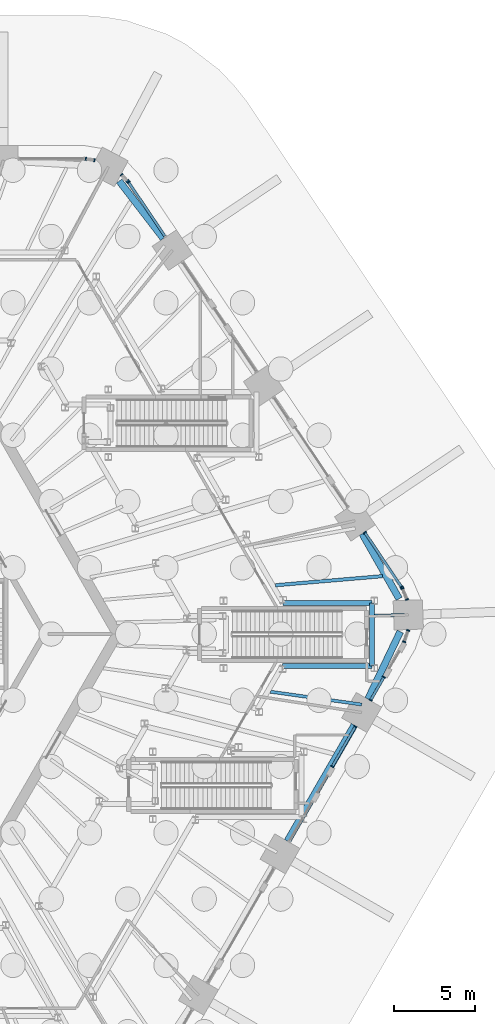
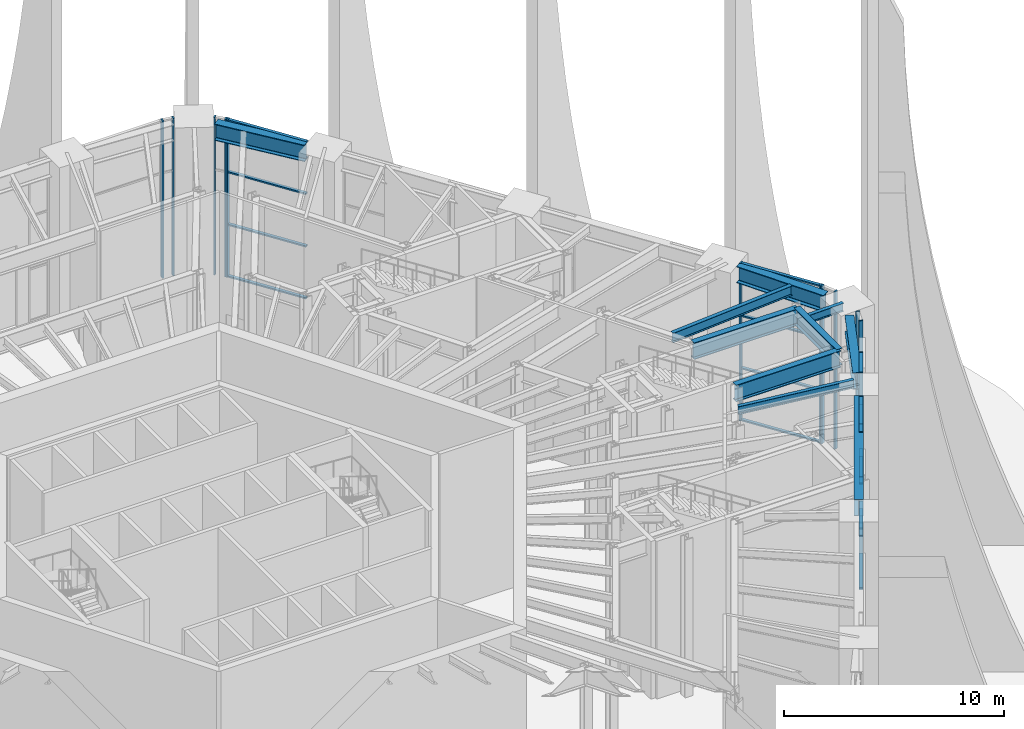
# One storey, part 14 of 43: 31 members, 10 beams, 8 elements without a shape of their own.
"""IFC4 building model written with IfcOpenShell, lengths in metres."""

from ifc_helpers import new_model, si_unit, direction, frame, origin, origin_2d, place, context, subcontext, project, spatial, rectangle, i_section, extrude, material, material_profile, profile_set, type_object, element, aggregate, save


model = new_model("IFC4")

# Units and contexts
model_context = context("Model", 3, precision=1e-05, world=origin(), true_north=direction((0.0, 1.0)))
body_context = subcontext(model_context, "Body", "Model", "MODEL_VIEW")
ifc_project = project(units=[si_unit("LENGTHUNIT", "METRE"), si_unit("AREAUNIT", "SQUARE_METRE"), si_unit("VOLUMEUNIT", "CUBIC_METRE"), si_unit("PLANEANGLEUNIT", "RADIAN"), si_unit("MASSUNIT", "GRAM", prefix="KILO")], contexts=[model_context])

# Site, building, storey
site_placement = place(None, origin())
site = spatial("IfcSite", under=ifc_project, at=site_placement, CompositionType="ELEMENT")
building_placement = place(site_placement, origin())
building = spatial("IfcBuilding", under=site, at=building_placement, Name="Tarnside Tower", CompositionType="ELEMENT")
storey_placement = place(building_placement, origin())
storey = spatial("IfcBuildingStorey", under=building, at=storey_placement, Name="L00", CompositionType="ELEMENT", Elevation=0.0)

# Beams
ifc_material_1 = material(Name="Steel S355", Category="steel")
ifc_material_profile_1 = material_profile(ifc_material_1, i_section(OverallWidth=0.18994140625, OverallDepth=0.453369140625, WebThickness=0.008544921875, FlangeThickness=0.0126953125, FilletRadius=0.01025390625, at=origin_2d()), Name="UB 457x191x67")
ifc_profile_set_1 = profile_set([ifc_material_profile_1], Name="Steel S355")
beam_type_1 = type_object("IfcBeamType", Name="Floor beam UB 457x191x67", PredefinedType="BEAM", material=ifc_profile_set_1)
beam_1_placement = place(storey_placement, frame((30.820068359375, -4.330078125, 8.523193359375), z_axis=(-0.990266984292, 0.139180817, 0.0), x_axis=(-0.139180817, -0.990266984292, 0.0)))
element("IfcBeam", 1, at=beam_1_placement, inside=storey, type_object=beam_type_1, Name="Floor beam F5.08a", PredefinedType="BEAM", context=body_context, shape_type="SweptSolid", body=[
    extrude(i_section(OverallWidth=0.18994140625, OverallDepth=0.453369140625, WebThickness=0.008544921875, FlangeThickness=0.0126953125, FilletRadius=0.01025390625, at=origin_2d()), origin(), (0.0, 0.0, 1.0), 5.66064453125),
])
beam_2_placement = place(storey_placement, frame((33.443603515625, 1.1748046875, 8.523193359375), z_axis=(-0.999639419601, -0.026852016324, 0.0), x_axis=(0.026852016324, -0.999639419601, 0.0)))
element("IfcBeam", 2, at=beam_2_placement, inside=storey, type_object=beam_type_1, Name="Floor beam C5a", PredefinedType="BEAM", context=body_context, shape_type="SweptSolid", body=[
    extrude(i_section(OverallWidth=0.18994140625, OverallDepth=0.453369140625, WebThickness=0.008544921875, FlangeThickness=0.0126953125, FilletRadius=0.01025390625, at=origin_2d()), origin(), (0.0, 0.0, 1.0), 1.836669921875),
])
ifc_material_profile_2 = material_profile(ifc_material_1, i_section(OverallWidth=0.209228515625, OverallDepth=0.533203125, WebThickness=0.010009765625, FlangeThickness=0.015625, FilletRadius=0.0126953125, at=origin_2d()), Name="UB 533x210x92")
ifc_profile_set_2 = profile_set([ifc_material_profile_2], Name="Steel S355")
beam_type_2 = type_object("IfcBeamType", Name="Floor beam UB 533x210x92", PredefinedType="BEAM", material=ifc_profile_set_2)
beam_3_placement = place(storey_placement, frame((32.09423828125, 3.5556640625, 8.4833984375), z_axis=(-0.996412646753, -0.084627639639, 0.0), x_axis=(0.084627639639, -0.996412646753, 0.0)))
element("IfcBeam", 3, at=beam_3_placement, inside=storey, type_object=beam_type_2, Name="Floor beam F6.01a", PredefinedType="BEAM", context=body_context, shape_type="SweptSolid", body=[
    extrude(i_section(OverallWidth=0.209228515625, OverallDepth=0.533203125, WebThickness=0.010009765625, FlangeThickness=0.015625, FilletRadius=0.0126953125, at=origin_2d()), origin(), (0.0, 0.0, 1.0), 6.589111328125),
])
ifc_material_profile_3 = material_profile(ifc_material_1, i_section(OverallWidth=0.3076171875, OverallDepth=0.926513671875, WebThickness=0.01953125, FlangeThickness=0.031982421875, FilletRadius=0.01904296875, at=origin_2d()), Name="UB 914x305x289")
ifc_profile_set_3 = profile_set([ifc_material_profile_3], Name="Steel S355")
beam_type_3 = type_object("IfcBeamType", Name="Perimeter girder UB 914x305x289", PredefinedType="BEAM", material=ifc_profile_set_3)
beam_4_placement = place(storey_placement, frame((25.98291015625, 1.90380859375, 8.28662109375), z_axis=(1.0, 0.0, 0.0), x_axis=(0.0, 1.0, 0.0)))
element("IfcBeam", 4, at=beam_4_placement, inside=storey, type_object=beam_type_3, Name="Perimeter girder T5", PredefinedType="BEAM", context=body_context, shape_type="SweptSolid", body=[
    extrude(i_section(OverallWidth=0.3076171875, OverallDepth=0.926513671875, WebThickness=0.01953125, FlangeThickness=0.031982421875, FilletRadius=0.01904296875, at=origin_2d()), origin(), (0.0, 0.0, 1.0), 5.470947265625),
])
beam_5_placement = place(storey_placement, frame((31.453857421875, 1.90380859375, 8.28662109375), z_axis=(0.0, -1.0, 0.0), x_axis=(1.0, 0.0, 0.0)))
element("IfcBeam", 5, at=beam_5_placement, inside=storey, type_object=beam_type_3, Name="Perimeter girder T6", PredefinedType="BEAM", context=body_context, shape_type="SweptSolid", body=[
    extrude(i_section(OverallWidth=0.3076171875, OverallDepth=0.926513671875, WebThickness=0.01953125, FlangeThickness=0.031982421875, FilletRadius=0.01904296875, at=origin_2d()), origin(), (0.0, 0.0, 1.0), 3.857666015625),
])
beam_6_placement = place(storey_placement, frame((31.453857421875, -1.953857421875, 8.28662109375), z_axis=(-1.0, 0.0, 0.0), x_axis=(0.0, -1.0, 0.0)))
element("IfcBeam", 6, at=beam_6_placement, inside=storey, type_object=beam_type_3, Name="Perimeter girder T7", PredefinedType="BEAM", context=body_context, shape_type="SweptSolid", body=[
    extrude(i_section(OverallWidth=0.3076171875, OverallDepth=0.926513671875, WebThickness=0.01953125, FlangeThickness=0.031982421875, FilletRadius=0.01904296875, at=origin_2d()), origin(), (0.0, 0.0, 1.0), 5.499755859375),
])
ifc_material_2 = material(Name="Steel S460", Category="steel")
ifc_material_profile_4 = material_profile(ifc_material_2, i_section(OverallWidth=0.42041015625, OverallDepth=0.9208984375, WebThickness=0.021484375, FlangeThickness=0.03662109375, FilletRadius=0.024169921875, at=origin_2d()), Name="UB 914x419x388")
ifc_profile_set_4 = profile_set([ifc_material_profile_4], Name="Steel S460")
beam_type_4 = type_object("IfcBeamType", Name="Perimeter girder UB 914x419x388", PredefinedType="BEAM", material=ifc_profile_set_4)
beam_7_placement = place(storey_placement, frame((26.2568359375, -12.7216796875, 8.28955078125), z_axis=(0.500002567197, 0.866023921607, 0.0), x_axis=(-0.866023921607, 0.500002567197, 0.0)))
element("IfcBeam", 7, at=beam_7_placement, inside=storey, type_object=beam_type_4, Name="Perimeter girder M18", PredefinedType="BEAM", context=body_context, shape_type="SweptSolid", body=[
    extrude(i_section(OverallWidth=0.42041015625, OverallDepth=0.9208984375, WebThickness=0.021484375, FlangeThickness=0.03662109375, FilletRadius=0.024169921875, at=origin_2d()), origin(), (0.0, 0.0, 1.0), 8.2236328125),
])
beam_8_placement = place(storey_placement, frame((31.21533203125, -3.990234375, 8.28955078125), z_axis=(0.431193650813, 0.90225940588, 0.0), x_axis=(-0.90225940588, 0.431193650813, 0.0)))
element("IfcBeam", 8, at=beam_8_placement, inside=storey, type_object=beam_type_4, Name="Perimeter girder M19", PredefinedType="BEAM", context=body_context, shape_type="SweptSolid", body=[
    extrude(i_section(OverallWidth=0.42041015625, OverallDepth=0.9208984375, WebThickness=0.021484375, FlangeThickness=0.03662109375, FilletRadius=0.024169921875, at=origin_2d()), origin(), (0.0, 0.0, 1.0), 4.586181640625),
])
beam_9_placement = place(storey_placement, frame((33.122314453125, 2.16796875, 8.28955078125), z_axis=(-0.493028689039, 0.870013052652, 0.0), x_axis=(-0.870013052652, -0.493028689039, 0.0)))
element("IfcBeam", 9, at=beam_9_placement, inside=storey, type_object=beam_type_4, Name="Perimeter girder M20", PredefinedType="BEAM", context=body_context, shape_type="SweptSolid", body=[
    extrude(i_section(OverallWidth=0.42041015625, OverallDepth=0.9208984375, WebThickness=0.021484375, FlangeThickness=0.03662109375, FilletRadius=0.024169921875, at=origin_2d()), origin(), (0.0, 0.0, 1.0), 4.58642578125),
])
beam_10_placement = place(storey_placement, frame((18.636474609375, 24.307861328125, 8.28955078125), z_axis=(-0.609328053132, 0.792918232649, 0.0), x_axis=(-0.792918232649, -0.609328053132, 0.0)))
element("IfcBeam", 10, at=beam_10_placement, inside=storey, type_object=beam_type_4, Name="Perimeter girder M23", PredefinedType="BEAM", context=body_context, shape_type="SweptSolid", body=[
    extrude(i_section(OverallWidth=0.42041015625, OverallDepth=0.9208984375, WebThickness=0.021484375, FlangeThickness=0.03662109375, FilletRadius=0.024169921875, at=origin_2d()), origin(), (0.0, 0.0, 1.0), 4.440185546875),
])

# Curtain wall, members
ifc_material_3 = material(Name="Station concourse glazing wall", Category="glass")
curtain_wall_type = type_object("IfcCurtainWallType", Name="Station concourse glazing wall", PredefinedType="NOTDEFINED", material=ifc_material_3)
curtain_wall_1_placement = place(storey_placement, origin())
curtain_wall_1 = element("IfcCurtainWall", 11, at=curtain_wall_1_placement, inside=storey, type_object=curtain_wall_type, Name="Side light 170x1", PredefinedType="NOTDEFINED")
ifc_material_4 = material(Name="Aluminium alloy 6063", Category="aluminium")
ifc_material_profile_5 = material_profile(ifc_material_4, rectangle(XDim=0.199951171875, YDim=0.080078125, at=origin_2d()), Name="Station concourse glazing mullion 80 x 200")
ifc_profile_set_5 = profile_set([ifc_material_profile_5], Name="Aluminium alloy 6063")
member_type_1 = type_object("IfcMemberType", Name="Station concourse glazing mullion 80 x 200", PredefinedType="MULLION", material=ifc_profile_set_5)
member_1_placement = place(storey_placement, frame((29.019287109375, -8.136962890625, 0.0), z_axis=(0.0, 0.0, 1.0), x_axis=(-0.866025403723, 0.500000000106, 0.0)))
member_1 = element("IfcMember", 12, at=member_1_placement, type_object=member_type_1, Name="CW1 mullion 1", PredefinedType="MULLION", context=body_context, shape_type="SweptSolid", body=[
    extrude(rectangle(XDim=0.199951171875, YDim=0.080078125, at=origin_2d()), origin(), (0.0, 0.0, 1.0), 8.75),
])
member_2_placement = place(storey_placement, frame((30.435302734375, -5.6845703125, 0.0), z_axis=(0.0, 0.0, 1.0), x_axis=(-0.866025403723, 0.500000000106, 0.0)))
member_2 = element("IfcMember", 13, at=member_2_placement, type_object=member_type_1, Name="CW1 mullion 2", PredefinedType="MULLION", context=body_context, shape_type="SweptSolid", body=[
    extrude(rectangle(XDim=0.199951171875, YDim=0.080078125, at=origin_2d()), origin(), (0.0, 0.0, 1.0), 8.75),
])

curtain_wall_2_placement = place(storey_placement, origin())
curtain_wall_2 = element("IfcCurtainWall", 14, at=curtain_wall_2_placement, inside=storey, type_object=curtain_wall_type, Name="Side light 180a", PredefinedType="NOTDEFINED")
member_3_placement = place(storey_placement, frame((31.375244140625, -4.056396484375, 0.0), z_axis=(0.0, 0.0, 1.0), x_axis=(-0.866025404011, 0.499999999607, 0.0)))
member_3 = element("IfcMember", 15, at=member_3_placement, type_object=member_type_1, Name="CW1 mullion 1", PredefinedType="MULLION", context=body_context, shape_type="SweptSolid", body=[
    extrude(rectangle(XDim=0.199951171875, YDim=0.080078125, at=origin_2d()), origin(), (0.0, 0.0, 1.0), 8.75),
])
member_4_placement = place(storey_placement, frame((32.191162109375, -2.64306640625, 0.0), z_axis=(0.0, 0.0, 1.0), x_axis=(-0.866025404011, 0.499999999607, 0.0)))
member_4 = element("IfcMember", 16, at=member_4_placement, type_object=member_type_1, Name="CW1 mullion 2", PredefinedType="MULLION", context=body_context, shape_type="SweptSolid", body=[
    extrude(rectangle(XDim=0.199951171875, YDim=0.080078125, at=origin_2d()), origin(), (0.0, 0.0, 1.0), 8.75),
])

curtain_wall_3_placement = place(storey_placement, origin())
curtain_wall_3 = element("IfcCurtainWall", 17, at=curtain_wall_3_placement, inside=storey, type_object=curtain_wall_type, Name="Side light 181a", PredefinedType="NOTDEFINED")
member_5_placement = place(storey_placement, frame((33.43212890625, -0.475341796875, 0.0), z_axis=(0.0, 0.0, 1.0), x_axis=(-0.943608506344, 0.331063418028, 0.0)))
member_5 = element("IfcMember", 18, at=member_5_placement, type_object=member_type_1, Name="CW1 mullion 1", PredefinedType="MULLION", context=body_context, shape_type="SweptSolid", body=[
    extrude(rectangle(XDim=0.199951171875, YDim=0.080078125, at=origin_2d()), origin(), (0.0, 0.0, 1.0), 8.75),
])
member_6_placement = place(storey_placement, frame((33.677734375, 0.22412109375, 0.0), z_axis=(0.0, 0.0, 1.0), x_axis=(-0.943608506344, 0.331063418028, 0.0)))
member_6 = element("IfcMember", 19, at=member_6_placement, type_object=member_type_1, Name="CW1 mullion 2", PredefinedType="MULLION", context=body_context, shape_type="SweptSolid", body=[
    extrude(rectangle(XDim=0.199951171875, YDim=0.080078125, at=origin_2d()), origin(), (0.0, 0.0, 1.0), 8.75),
])
aggregate(curtain_wall_3, [member_5, member_6])

curtain_wall_4_placement = place(storey_placement, origin())
curtain_wall_4 = element("IfcCurtainWall", 20, at=curtain_wall_4_placement, inside=storey, type_object=curtain_wall_type, Name="Station concourse glazing L00 19.0", PredefinedType="NOTDEFINED")
member_7_placement = place(storey_placement, frame((33.611328125, 2.12548828125, 0.0), z_axis=(0.0, 0.0, 1.0), x_axis=(-0.918216106807, -0.39607976621, 0.0)))
member_7 = element("IfcMember", 21, at=member_7_placement, type_object=member_type_1, Name="CW1 mullion 1", PredefinedType="MULLION", context=body_context, shape_type="SweptSolid", body=[
    extrude(rectangle(XDim=0.199951171875, YDim=0.080078125, at=origin_2d()), origin(), (0.0, 0.0, 1.0), 8.75),
])
member_8_placement = place(storey_placement, frame((33.317626953125, 2.806396484375, 0.0), z_axis=(0.0, 0.0, 1.0), x_axis=(-0.918216106807, -0.39607976621, 0.0)))
member_8 = element("IfcMember", 22, at=member_8_placement, type_object=member_type_1, Name="CW1 mullion 2", PredefinedType="MULLION", context=body_context, shape_type="SweptSolid", body=[
    extrude(rectangle(XDim=0.199951171875, YDim=0.080078125, at=origin_2d()), origin(), (0.0, 0.0, 1.0), 8.75),
])
aggregate(curtain_wall_4, [member_7, member_8])

curtain_wall_5_placement = place(storey_placement, origin())
curtain_wall_5 = element("IfcCurtainWall", 23, at=curtain_wall_5_placement, inside=storey, type_object=curtain_wall_type, Name="Station concourse glazing L00 19.1", PredefinedType="NOTDEFINED")
member_9_placement = place(storey_placement, frame((33.2705078125, 2.892578125, 0.0), z_axis=(0.0, 0.0, 1.0), x_axis=(-0.829037572594, -0.559192903413, 0.0)))
member_9 = element("IfcMember", 24, at=member_9_placement, type_object=member_type_1, Name="CW1 mullion 1", PredefinedType="MULLION", context=body_context, shape_type="SweptSolid", body=[
    extrude(rectangle(XDim=0.199951171875, YDim=0.080078125, at=origin_2d()), origin(), (0.0, 0.0, 1.0), 8.75),
])
member_10_placement = place(storey_placement, frame((31.015869140625, 6.235107421875, 0.0), z_axis=(0.0, 0.0, 1.0), x_axis=(-0.829037572594, -0.559192903413, 0.0)))
member_10 = element("IfcMember", 25, at=member_10_placement, type_object=member_type_1, Name="CW1 mullion 2", PredefinedType="MULLION", context=body_context, shape_type="SweptSolid", body=[
    extrude(rectangle(XDim=0.199951171875, YDim=0.080078125, at=origin_2d()), origin(), (0.0, 0.0, 1.0), 8.75),
])

# Curtain wall, member
curtain_wall_6_placement = place(storey_placement, origin())
curtain_wall_6 = element("IfcCurtainWall", 26, at=curtain_wall_6_placement, inside=storey, type_object=curtain_wall_type, Name="Station concourse glazing L00 22.0", PredefinedType="NOTDEFINED")
member_11_placement = place(storey_placement, frame((16.499755859375, 27.75634765625, 0.0), z_axis=(0.0, 0.0, 1.0), x_axis=(-0.829037572487, -0.559192903572, 0.0)))
member_11 = element("IfcMember", 27, at=member_11_placement, type_object=member_type_1, Name="CW1 mullion 2", PredefinedType="MULLION", context=body_context, shape_type="SweptSolid", body=[
    extrude(rectangle(XDim=0.199951171875, YDim=0.080078125, at=origin_2d()), origin(), (0.0, 0.0, 1.0), 8.75),
])

# Curtain wall, members
curtain_wall_7_placement = place(storey_placement, origin())
curtain_wall_7 = element("IfcCurtainWall", 28, at=curtain_wall_7_placement, inside=storey, type_object=curtain_wall_type, Name="Station concourse glazing L00 22.1", PredefinedType="NOTDEFINED")
member_12_placement = place(storey_placement, frame((16.439697265625, 27.831298828125, 0.0), z_axis=(0.0, 0.0, 1.0), x_axis=(-0.727373641625, -0.686241637814, 0.0)))
member_12 = element("IfcMember", 29, at=member_12_placement, type_object=member_type_1, Name="CW1 mullion 1", PredefinedType="MULLION", context=body_context, shape_type="SweptSolid", body=[
    extrude(rectangle(XDim=0.199951171875, YDim=0.080078125, at=origin_2d()), origin(), (0.0, 0.0, 1.0), 8.75),
])
member_13_placement = place(storey_placement, frame((16.0771484375, 28.215576171875, 0.0), z_axis=(0.0, 0.0, 1.0), x_axis=(-0.727373641625, -0.686241637814, 0.0)))
member_13 = element("IfcMember", 30, at=member_13_placement, type_object=member_type_1, Name="CW1 mullion 2", PredefinedType="MULLION", context=body_context, shape_type="SweptSolid", body=[
    extrude(rectangle(XDim=0.199951171875, YDim=0.080078125, at=origin_2d()), origin(), (0.0, 0.0, 1.0), 8.75),
])
aggregate(curtain_wall_7, [member_12, member_13])

curtain_wall_8_placement = place(storey_placement, origin())
curtain_wall_8 = element("IfcCurtainWall", 31, at=curtain_wall_8_placement, inside=storey, type_object=curtain_wall_type, Name="Station concourse glazing L00 23.0", PredefinedType="NOTDEFINED")
member_14_placement = place(storey_placement, frame((14.4013671875, 29.1064453125, 0.0), z_axis=(0.0, 0.0, 1.0), x_axis=(-0.16217792248, -0.986761532215, 0.0)))
member_14 = element("IfcMember", 32, at=member_14_placement, type_object=member_type_1, Name="CW1 mullion 1", PredefinedType="MULLION", context=body_context, shape_type="SweptSolid", body=[
    extrude(rectangle(XDim=0.199951171875, YDim=0.080078125, at=origin_2d()), origin(), (0.0, 0.0, 1.0), 8.75),
])
member_15_placement = place(storey_placement, frame((13.880126953125, 29.192138671875, 0.0), z_axis=(0.0, 0.0, 1.0), x_axis=(-0.16217792248, -0.986761532215, 0.0)))
member_15 = element("IfcMember", 33, at=member_15_placement, type_object=member_type_1, Name="CW1 mullion 2", PredefinedType="MULLION", context=body_context, shape_type="SweptSolid", body=[
    extrude(rectangle(XDim=0.199951171875, YDim=0.080078125, at=origin_2d()), origin(), (0.0, 0.0, 1.0), 8.75),
])
aggregate(curtain_wall_8, [member_14, member_15])

# Member
ifc_material_profile_6 = material_profile(ifc_material_4, rectangle(XDim=0.159912109375, YDim=0.080078125, at=origin_2d()), Name="Station concourse glazing transom 80 x 160")
ifc_profile_set_6 = profile_set([ifc_material_profile_6], Name="Aluminium alloy 6063")
member_type_2 = type_object("IfcMemberType", Name="Station concourse glazing transom 80 x 160", PredefinedType="USERDEFINED", material=ifc_profile_set_6)
member_16_placement = place(storey_placement, frame((29.039306640625, -8.102294921875, 0.0400390625), z_axis=(0.499993790352, 0.866028988896, 0.0), x_axis=(-0.866028988896, 0.499993790352, 0.0)))
member_16 = element("IfcMember", 34, at=member_16_placement, type_object=member_type_2, Name="CW1 transom 1.1", ObjectType="TRANSOM", PredefinedType="USERDEFINED", context=body_context, shape_type="SweptSolid", body=[
    extrude(rectangle(XDim=0.159912109375, YDim=0.080078125, at=origin_2d()), origin(), (0.0, 0.0, 1.0), 2.751953125),
])

member_17_placement = place(storey_placement, frame((29.039306640625, -8.102294921875, 2.916748046875), z_axis=(0.499993790352, 0.866028988896, 0.0), x_axis=(-0.866028988896, 0.499993790352, 0.0)))
member_17 = element("IfcMember", 35, at=member_17_placement, type_object=member_type_2, Name="CW1 transom 1.2", ObjectType="TRANSOM", PredefinedType="USERDEFINED", context=body_context, shape_type="SweptSolid", body=[
    extrude(rectangle(XDim=0.159912109375, YDim=0.080078125, at=origin_2d()), origin(), (0.0, 0.0, 1.0), 2.751953125),
])

member_18_placement = place(storey_placement, frame((29.039306640625, -8.102294921875, 5.833251953125), z_axis=(0.499993790352, 0.866028988896, 0.0), x_axis=(-0.866028988896, 0.499993790352, 0.0)))
member_18 = element("IfcMember", 36, at=member_18_placement, type_object=member_type_2, Name="CW1 transom 1.3", ObjectType="TRANSOM", PredefinedType="USERDEFINED", context=body_context, shape_type="SweptSolid", body=[
    extrude(rectangle(XDim=0.159912109375, YDim=0.080078125, at=origin_2d()), origin(), (0.0, 0.0, 1.0), 2.751953125),
])

member_19_placement = place(storey_placement, frame((29.039306640625, -8.102294921875, 8.7099609375), z_axis=(0.499993790352, 0.866028988896, 0.0), x_axis=(-0.866028988896, 0.499993790352, 0.0)))
member_19 = element("IfcMember", 37, at=member_19_placement, type_object=member_type_2, Name="CW1 transom 1.4", ObjectType="TRANSOM", PredefinedType="USERDEFINED", context=body_context, shape_type="SweptSolid", body=[
    extrude(rectangle(XDim=0.159912109375, YDim=0.080078125, at=origin_2d()), origin(), (0.0, 0.0, 1.0), 2.751953125),
])

aggregate(curtain_wall_1, [member_1, member_2, member_16, member_17, member_18, member_19])

member_20_placement = place(storey_placement, frame((31.395263671875, -4.021728515625, 0.0400390625), z_axis=(0.499963041308, 0.866046740844, 0.0), x_axis=(-0.866046740844, 0.499963041308, 0.0)))
member_20 = element("IfcMember", 38, at=member_20_placement, type_object=member_type_2, Name="CW1 transom 1.1", ObjectType="TRANSOM", PredefinedType="USERDEFINED", context=body_context, shape_type="SweptSolid", body=[
    extrude(rectangle(XDim=0.159912109375, YDim=0.080078125, at=origin_2d()), origin(), (0.0, 0.0, 1.0), 1.5517578125),
])

member_21_placement = place(storey_placement, frame((31.395263671875, -4.021728515625, 2.916748046875), z_axis=(0.499963041308, 0.866046740844, 0.0), x_axis=(-0.866046740844, 0.499963041308, 0.0)))
member_21 = element("IfcMember", 39, at=member_21_placement, type_object=member_type_2, Name="CW1 transom 1.2", ObjectType="TRANSOM", PredefinedType="USERDEFINED", context=body_context, shape_type="SweptSolid", body=[
    extrude(rectangle(XDim=0.159912109375, YDim=0.080078125, at=origin_2d()), origin(), (0.0, 0.0, 1.0), 1.5517578125),
])

member_22_placement = place(storey_placement, frame((31.395263671875, -4.021728515625, 5.833251953125), z_axis=(0.499963041308, 0.866046740844, 0.0), x_axis=(-0.866046740844, 0.499963041308, 0.0)))
member_22 = element("IfcMember", 40, at=member_22_placement, type_object=member_type_2, Name="CW1 transom 1.3", ObjectType="TRANSOM", PredefinedType="USERDEFINED", context=body_context, shape_type="SweptSolid", body=[
    extrude(rectangle(XDim=0.159912109375, YDim=0.080078125, at=origin_2d()), origin(), (0.0, 0.0, 1.0), 1.5517578125),
])

member_23_placement = place(storey_placement, frame((31.395263671875, -4.021728515625, 8.7099609375), z_axis=(0.499963041308, 0.866046740844, 0.0), x_axis=(-0.866046740844, 0.499963041308, 0.0)))
member_23 = element("IfcMember", 41, at=member_23_placement, type_object=member_type_2, Name="CW1 transom 1.4", ObjectType="TRANSOM", PredefinedType="USERDEFINED", context=body_context, shape_type="SweptSolid", body=[
    extrude(rectangle(XDim=0.159912109375, YDim=0.080078125, at=origin_2d()), origin(), (0.0, 0.0, 1.0), 1.5517578125),
])

aggregate(curtain_wall_2, [member_3, member_4, member_20, member_21, member_22, member_23])

member_24_placement = place(storey_placement, frame((33.248046875, 2.92578125, 0.0400390625), z_axis=(-0.559183146072, 0.82904415392, 0.0), x_axis=(-0.82904415392, -0.559183146072, 0.0)))
member_24 = element("IfcMember", 42, at=member_24_placement, type_object=member_type_2, Name="CW1 transom 1.1", ObjectType="TRANSOM", PredefinedType="USERDEFINED", context=body_context, shape_type="SweptSolid", body=[
    extrude(rectangle(XDim=0.159912109375, YDim=0.080078125, at=origin_2d()), origin(), (0.0, 0.0, 1.0), 3.95166015625),
])

member_25_placement = place(storey_placement, frame((33.248046875, 2.92578125, 2.916748046875), z_axis=(-0.559183146072, 0.82904415392, 0.0), x_axis=(-0.82904415392, -0.559183146072, 0.0)))
member_25 = element("IfcMember", 43, at=member_25_placement, type_object=member_type_2, Name="CW1 transom 1.2", ObjectType="TRANSOM", PredefinedType="USERDEFINED", context=body_context, shape_type="SweptSolid", body=[
    extrude(rectangle(XDim=0.159912109375, YDim=0.080078125, at=origin_2d()), origin(), (0.0, 0.0, 1.0), 3.95166015625),
])

member_26_placement = place(storey_placement, frame((33.248046875, 2.92578125, 5.833251953125), z_axis=(-0.559183146072, 0.82904415392, 0.0), x_axis=(-0.82904415392, -0.559183146072, 0.0)))
member_26 = element("IfcMember", 44, at=member_26_placement, type_object=member_type_2, Name="CW1 transom 1.3", ObjectType="TRANSOM", PredefinedType="USERDEFINED", context=body_context, shape_type="SweptSolid", body=[
    extrude(rectangle(XDim=0.159912109375, YDim=0.080078125, at=origin_2d()), origin(), (0.0, 0.0, 1.0), 3.95166015625),
])

member_27_placement = place(storey_placement, frame((33.248046875, 2.92578125, 8.7099609375), z_axis=(-0.559183146072, 0.82904415392, 0.0), x_axis=(-0.82904415392, -0.559183146072, 0.0)))
member_27 = element("IfcMember", 45, at=member_27_placement, type_object=member_type_2, Name="CW1 transom 1.4", ObjectType="TRANSOM", PredefinedType="USERDEFINED", context=body_context, shape_type="SweptSolid", body=[
    extrude(rectangle(XDim=0.159912109375, YDim=0.080078125, at=origin_2d()), origin(), (0.0, 0.0, 1.0), 3.95166015625),
])

aggregate(curtain_wall_5, [member_9, member_10, member_24, member_25, member_26, member_27])

member_28_placement = place(storey_placement, frame((18.73193359375, 24.44677734375, 0.0400390625), z_axis=(-0.559154506135, 0.829063470592, 0.0), x_axis=(-0.829063470592, -0.559154506135, 0.0)))
member_28 = element("IfcMember", 46, at=member_28_placement, type_object=member_type_2, Name="CW1 transom 1.1", ObjectType="TRANSOM", PredefinedType="USERDEFINED", context=body_context, shape_type="SweptSolid", body=[
    extrude(rectangle(XDim=0.159912109375, YDim=0.080078125, at=origin_2d()), origin(), (0.0, 0.0, 1.0), 3.951904296875),
])

member_29_placement = place(storey_placement, frame((18.73193359375, 24.44677734375, 2.916748046875), z_axis=(-0.559154506135, 0.829063470592, 0.0), x_axis=(-0.829063470592, -0.559154506135, 0.0)))
member_29 = element("IfcMember", 47, at=member_29_placement, type_object=member_type_2, Name="CW1 transom 1.2", ObjectType="TRANSOM", PredefinedType="USERDEFINED", context=body_context, shape_type="SweptSolid", body=[
    extrude(rectangle(XDim=0.159912109375, YDim=0.080078125, at=origin_2d()), origin(), (0.0, 0.0, 1.0), 3.951904296875),
])

member_30_placement = place(storey_placement, frame((18.73193359375, 24.44677734375, 5.833251953125), z_axis=(-0.559154506135, 0.829063470592, 0.0), x_axis=(-0.829063470592, -0.559154506135, 0.0)))
member_30 = element("IfcMember", 48, at=member_30_placement, type_object=member_type_2, Name="CW1 transom 1.3", ObjectType="TRANSOM", PredefinedType="USERDEFINED", context=body_context, shape_type="SweptSolid", body=[
    extrude(rectangle(XDim=0.159912109375, YDim=0.080078125, at=origin_2d()), origin(), (0.0, 0.0, 1.0), 3.951904296875),
])

member_31_placement = place(storey_placement, frame((18.73193359375, 24.44677734375, 8.7099609375), z_axis=(-0.559154506135, 0.829063470592, 0.0), x_axis=(-0.829063470592, -0.559154506135, 0.0)))
member_31 = element("IfcMember", 49, at=member_31_placement, type_object=member_type_2, Name="CW1 transom 1.4", ObjectType="TRANSOM", PredefinedType="USERDEFINED", context=body_context, shape_type="SweptSolid", body=[
    extrude(rectangle(XDim=0.159912109375, YDim=0.080078125, at=origin_2d()), origin(), (0.0, 0.0, 1.0), 3.951904296875),
])

aggregate(curtain_wall_6, [member_11, member_28, member_29, member_30, member_31])

save(model, "model.ifc")
